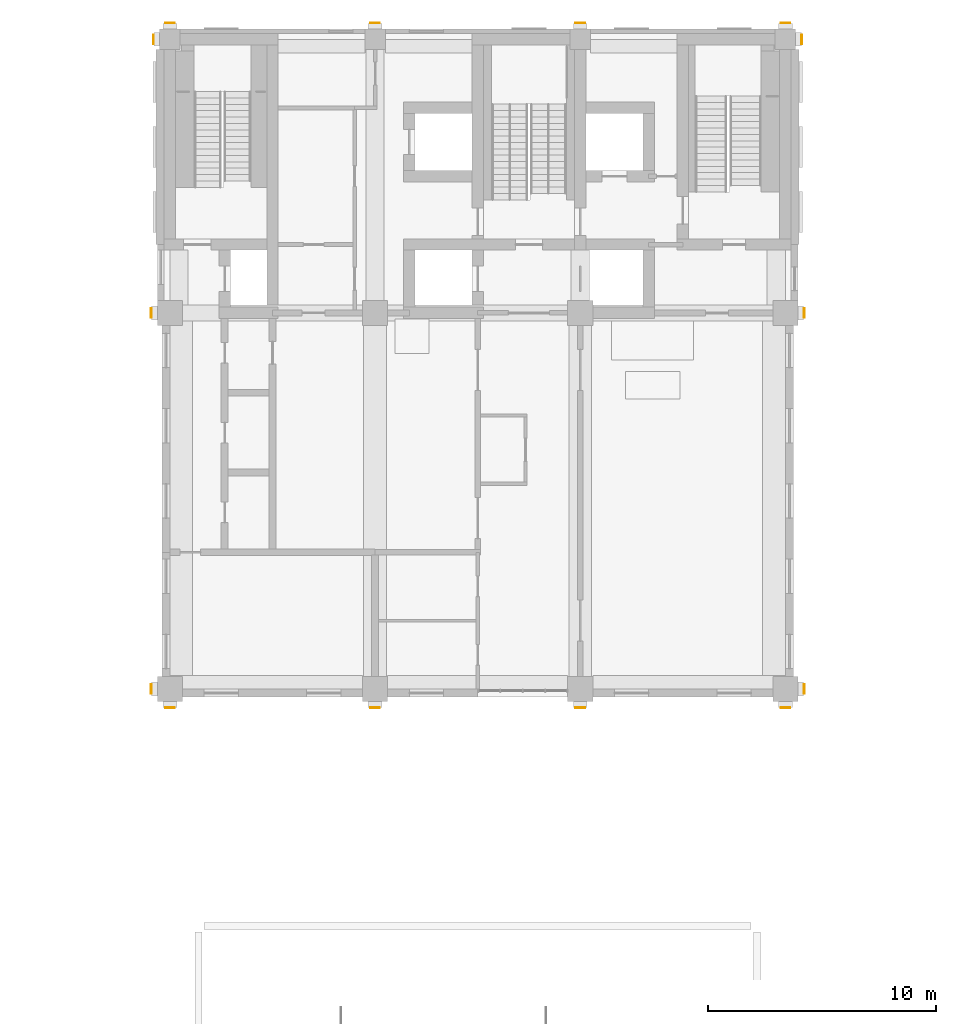
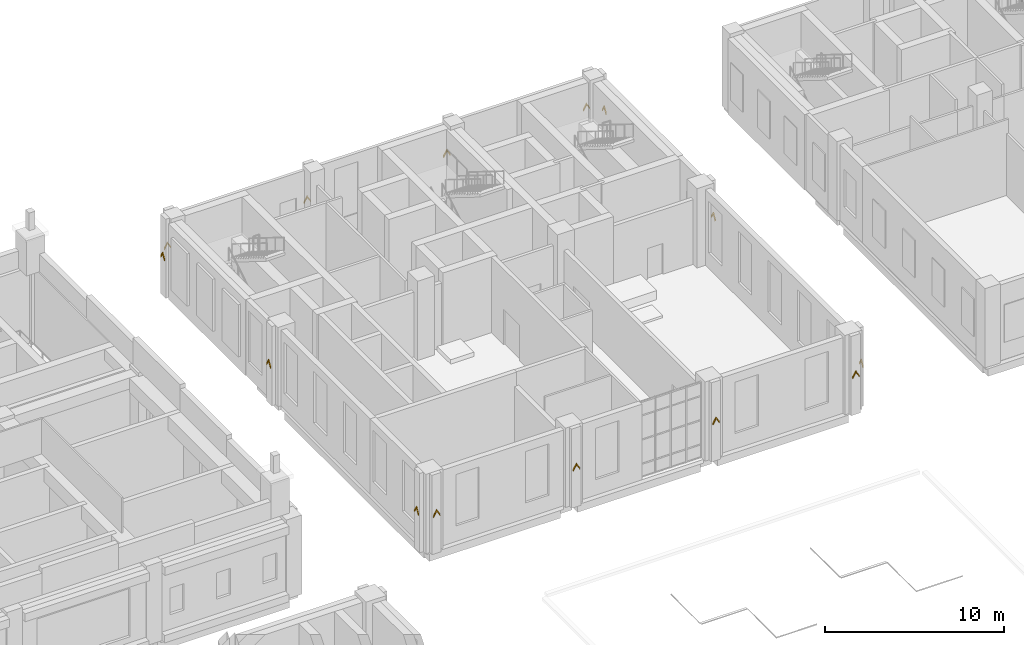
# One storey, part 37 of 37: 14 coverings.
"""IFC4 building model written with IfcOpenShell, lengths in metres."""

from ifc_helpers import new_model, si_unit, direction, frame, origin, place, context, subcontext, project, spatial, polyline, outline, extrude, material, layer, layer_set, type_object, element, save


model = new_model("IFC4")

# Units and contexts
model_context = context("Model", 3, precision=1e-05, world=origin(), true_north=direction((0.0, 1.0)))
body_context = subcontext(model_context, "Body", "Model", "MODEL_VIEW")
ifc_project = project(units=[si_unit("LENGTHUNIT", "METRE"), si_unit("AREAUNIT", "SQUARE_METRE"), si_unit("VOLUMEUNIT", "CUBIC_METRE"), si_unit("PLANEANGLEUNIT", "RADIAN"), si_unit("MASSUNIT", "GRAM", prefix="KILO")], contexts=[model_context])

# Site, building, storey
site_placement = place(None, origin())
site = spatial("IfcSite", under=ifc_project, at=site_placement, CompositionType="ELEMENT")
building_placement = place(site_placement, origin())
building = spatial("IfcBuilding", under=site, at=building_placement, Name="Aurelan Courthouse", CompositionType="ELEMENT")
storey_placement = place(building_placement, frame((0.0, 0.0, 17.39990234375)))
storey = spatial("IfcBuildingStorey", under=building, at=storey_placement, Name="L03", CompositionType="ELEMENT", Elevation=17.39990234375)

# Coverings
ifc_material = material(Name="Bronze sheet cladding")
ifc_layer = layer(ifc_material, 0.0400390625)
ifc_layer_set = layer_set([ifc_layer], Name="Bronze sheet cladding")
covering_type = type_object("IfcCoveringType", Name="Courtroom Block chevron relief 420 x 470", PredefinedType="CLADDING", material=ifc_layer_set)
for number, where, z_axis, x_axis, name in (
    (1, (36.0, 36.699951171875, -17.39990234375), (0.0, -1.0, 0.0), (1.0, 0.0, 0.0), "Chevron relief CH-V2-012"),
    (2, (45.0, 36.699951171875, -17.39990234375), (0.0, -1.0, 0.0), (1.0, 0.0, 0.0), "Chevron relief CH-V2-013"),
    (3, (54.0, 36.699951171875, -17.39990234375), (0.0, -1.0, 0.0), (1.0, 0.0, 0.0), "Chevron relief CH-V2-014"),
    (4, (63.0, 36.699951171875, -17.39990234375), (0.0, -1.0, 0.0), (1.0, 0.0, 0.0), "Chevron relief CH-V2-015"),
    (5, (36.0, 66.699951171875, -17.39990234375), (0.0, 1.0, 0.0), (-1.0, 0.0, 0.0), "Chevron relief CH-V2-016"),
    (6, (45.0, 66.699951171875, -17.39990234375), (0.0, 1.0, 0.0), (-1.0, 0.0, 0.0), "Chevron relief CH-V2-017"),
    (7, (54.0, 66.699951171875, -17.39990234375), (0.0, 1.0, 0.0), (-1.0, 0.0, 0.0), "Chevron relief CH-V2-018"),
    (8, (63.0, 66.699951171875, -17.39990234375), (0.0, 1.0, 0.0), (-1.0, 0.0, 0.0), "Chevron relief CH-V2-019"),
    (9, (63.800048828125, 37.5, -17.39990234375), (1.0, 0.0, 0.0), (0.0, 1.0, 0.0), "Chevron relief CH-V2-020"),
    (10, (63.800048828125, 54.0, -17.39990234375), (1.0, 0.0, 0.0), (0.0, 1.0, 0.0), "Chevron relief CH-V2-021"),
    (11, (63.699951171875, 66.0, -17.39990234375), (1.0, 0.0, 0.0), (0.0, 1.0, 0.0), "Chevron relief CH-V2-022"),
    (12, (35.199951171875, 37.5, -17.39990234375), (-1.0, 0.0, 0.0), (0.0, -1.0, 0.0), "Chevron relief CH-V2-023"),
    (13, (35.199951171875, 54.0, -17.39990234375), (-1.0, 0.0, 0.0), (0.0, -1.0, 0.0), "Chevron relief CH-V2-024"),
    (14, (35.300048828125, 66.0, -17.39990234375), (-1.0, 0.0, 0.0), (0.0, -1.0, 0.0), "Chevron relief CH-V2-025"),
):
    element("IfcCovering", number, at=place(storey_placement, frame(where, z_axis=z_axis, x_axis=x_axis)), inside=storey, type_object=covering_type, Name=name, PredefinedType="CLADDING", context=body_context, shape_type="SweptSolid", body=[
        extrude(outline(polyline([(-0.2099609375, 19.925048828125), (0.0, 20.27490234375), (0.2099609375, 19.925048828125), (0.2099609375, 20.044921875), (0.0, 20.39501953125), (-0.2099609375, 20.044921875), (-0.2099609375, 19.925048828125)])), origin(), (0.0, 0.0, 1.0), 0.0400390625),
    ])

save(model, "model.ifc")
